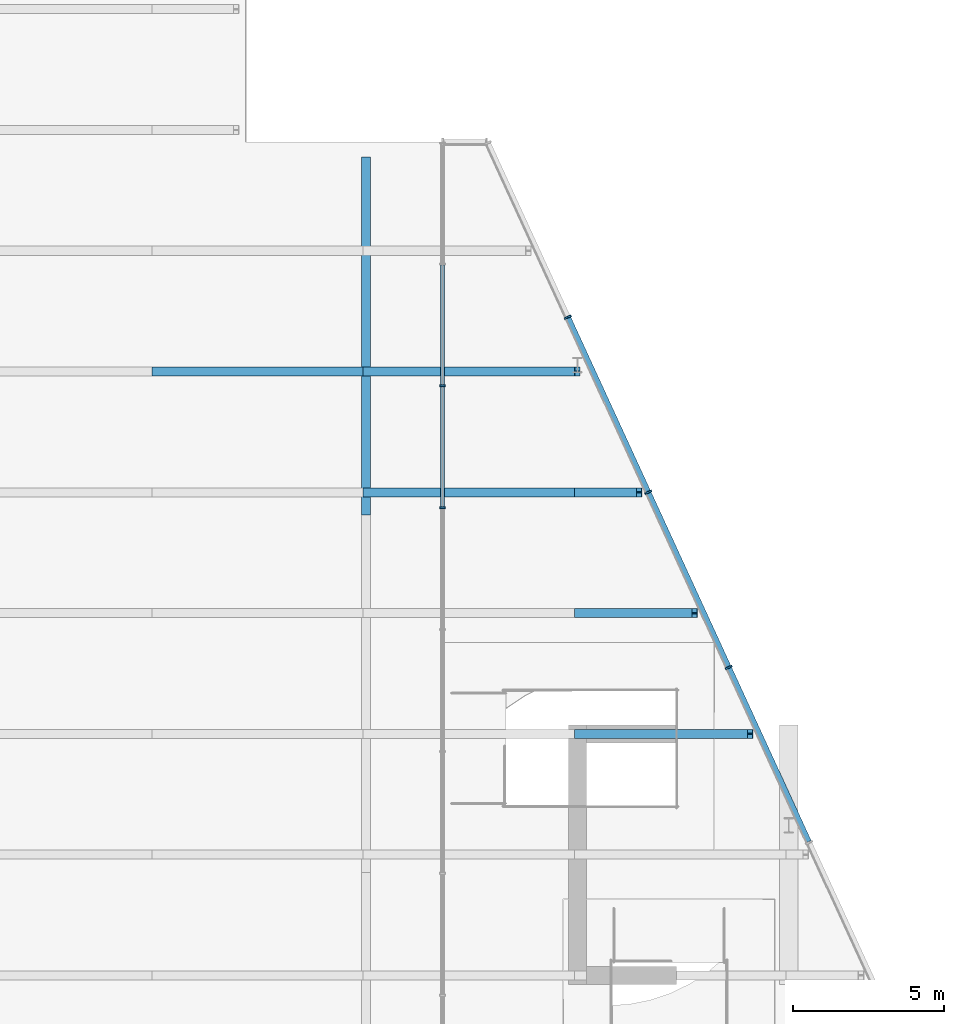
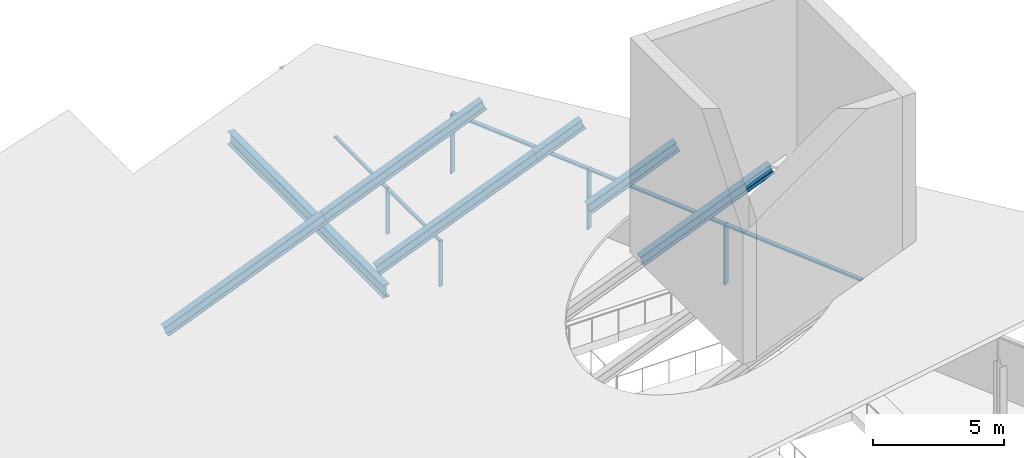
# One storey, part 4 of 8: 16 members, 1 beam, 2 elements without a shape of their own.
"""IFC4 building model written with IfcOpenShell, lengths in metres."""

from ifc_helpers import new_model, si_unit, direction, frame, origin, origin_2d, place, context, subcontext, project, spatial, rectangle, i_section, extrude, material, material_profile, profile_set, type_object, element, aggregate, save


model = new_model("IFC4")

# Units and contexts
model_context = context("Model", 3, precision=1e-05, world=origin(), true_north=direction((0.0, 1.0)))
body_context = subcontext(model_context, "Body", "Model", "MODEL_VIEW")
ifc_project = project(units=[si_unit("LENGTHUNIT", "METRE"), si_unit("AREAUNIT", "SQUARE_METRE"), si_unit("VOLUMEUNIT", "CUBIC_METRE"), si_unit("PLANEANGLEUNIT", "RADIAN"), si_unit("MASSUNIT", "GRAM", prefix="KILO")], contexts=[model_context])

# Site, building, storey
site_placement = place(None, origin())
site = spatial("IfcSite", under=ifc_project, at=site_placement, CompositionType="ELEMENT")
building_placement = place(site_placement, origin())
building = spatial("IfcBuilding", under=site, at=building_placement, Name="Wharfspan Tower", CompositionType="ELEMENT")
storey_placement = place(building_placement, frame((0.0, 0.0, 277.100098)))
storey = spatial("IfcBuildingStorey", under=building, at=storey_placement, Name="L71", CompositionType="ELEMENT", Elevation=277.100098)

# Curtain wall, members
ifc_material_1 = material(Name="Aluminium 6063-T6", Category="aluminium")
curtain_wall_type_1 = type_object("IfcCurtainWallType", Name="CURTAIN WALL CROWN GABLE", PredefinedType="NOTDEFINED", material=ifc_material_1)
curtain_wall_1_placement = place(storey_placement, origin())
curtain_wall_1 = element("IfcCurtainWall", 1, at=curtain_wall_1_placement, inside=storey, type_object=curtain_wall_type_1, Name="Crown gable glazing", PredefinedType="NOTDEFINED")
ifc_material_profile_1 = material_profile(ifc_material_1, rectangle(XDim=0.179932, YDim=0.060059, at=origin_2d()))
ifc_profile_set_1 = profile_set([ifc_material_profile_1], Name="Aluminium 6063-T6")
member_type_1 = type_object("IfcMemberType", Name="MULLION CROWN GABLE 60x180", PredefinedType="MULLION", material=ifc_profile_set_1)
member_1_placement = place(storey_placement, frame((60.531738, 31.490479, 0.0), z_axis=(0.0, 0.0, 1.0), x_axis=(-1.0, 0.0, 0.0)))
member_1 = element("IfcMember", 2, at=member_1_placement, type_object=member_type_1, Name="Crown gable glazing mullion 7", PredefinedType="MULLION", context=body_context, shape_type="SweptSolid", body=[
    extrude(rectangle(XDim=0.179932, YDim=0.060059, at=origin_2d()), origin(), (0.0, 0.0, 1.0), 2.124268),
])
member_2_placement = place(storey_placement, frame((60.531738, 35.5271, 0.0), z_axis=(0.0, 0.0, 1.0), x_axis=(-1.0, 0.0, 0.0)))
member_2 = element("IfcMember", 3, at=member_2_placement, type_object=member_type_1, Name="Crown gable glazing mullion 8", PredefinedType="MULLION", context=body_context, shape_type="SweptSolid", body=[
    extrude(rectangle(XDim=0.179932, YDim=0.060059, at=origin_2d()), origin(), (0.0, 0.0, 1.0), 2.124268),
])

curtain_wall_type_2 = type_object("IfcCurtainWallType", Name="CURTAIN WALL PROW AND END", PredefinedType="NOTDEFINED", material=ifc_material_1)
curtain_wall_2_placement = place(storey_placement, origin())
curtain_wall_2 = element("IfcCurtainWall", 4, at=curtain_wall_2_placement, inside=storey, type_object=curtain_wall_type_2, Name="Crown curtain wall E", PredefinedType="NOTDEFINED")
ifc_material_profile_2 = material_profile(ifc_material_1, rectangle(XDim=0.23999, YDim=0.060059, at=origin_2d()))
ifc_profile_set_2 = profile_set([ifc_material_profile_2], Name="Aluminium 6063-T6")
member_type_2 = type_object("IfcMemberType", Name="MULLION PROW AND END 60x240", PredefinedType="MULLION", material=ifc_profile_set_2)
member_3_placement = place(storey_placement, frame((70.010254, 26.199951, 0.0), z_axis=(0.0, 0.0, 1.0), x_axis=(-0.908769, -0.417292, 0.0)))
member_3 = element("IfcMember", 5, at=member_3_placement, type_object=member_type_2, Name="Crown curtain wall E mullion 4", PredefinedType="MULLION", context=body_context, shape_type="SweptSolid", body=[
    extrude(rectangle(XDim=0.23999, YDim=0.060059, at=origin_2d()), origin(), (0.0, 0.0, 1.0), 2.799805),
])
member_4_placement = place(storey_placement, frame((67.346924, 32.0, 0.0), z_axis=(0.0, 0.0, 1.0), x_axis=(-0.908769, -0.417292, 0.0)))
member_4 = element("IfcMember", 6, at=member_4_placement, type_object=member_type_2, Name="Crown curtain wall E mullion 5", PredefinedType="MULLION", context=body_context, shape_type="SweptSolid", body=[
    extrude(rectangle(XDim=0.23999, YDim=0.060059, at=origin_2d()), origin(), (0.0, 0.0, 1.0), 2.799805),
])
member_5_placement = place(storey_placement, frame((64.683594, 37.800049, 0.0), z_axis=(0.0, 0.0, 1.0), x_axis=(-0.908769, -0.417292, 0.0)))
member_5 = element("IfcMember", 7, at=member_5_placement, type_object=member_type_2, Name="Crown curtain wall E mullion 6", PredefinedType="MULLION", context=body_context, shape_type="SweptSolid", body=[
    extrude(rectangle(XDim=0.23999, YDim=0.060059, at=origin_2d()), origin(), (0.0, 0.0, 1.0), 2.799805),
])

# Beam
ifc_material_2 = material(Name="Steel S355J2", Category="steel")
ifc_material_profile_3 = material_profile(ifc_material_2, i_section(OverallWidth=0.300049, OverallDepth=0.600098, WebThickness=0.015381, FlangeThickness=0.030029, FilletRadius=0.0271, at=origin_2d()))
ifc_profile_set_3 = profile_set([ifc_material_profile_3], Name="Steel S355J2")
beam_type = type_object("IfcBeamType", Name="Roof girder HEB 600", PredefinedType="BEAM", material=ifc_profile_set_3)
beam_placement = place(storey_placement, frame((58.0, 31.25, 0.806396), z_axis=(0.0, 1.0, 0.0), x_axis=(-1.0, 0.0, 0.0)))
element("IfcBeam", 8, at=beam_placement, inside=storey, type_object=beam_type, Name="Roof girder G6 31 to 43", PredefinedType="BEAM", context=body_context, shape_type="SweptSolid", body=[
    extrude(i_section(OverallWidth=0.300049, OverallDepth=0.600098, WebThickness=0.015381, FlangeThickness=0.030029, FilletRadius=0.0271, at=origin_2d()), origin(), (0.0, 0.0, 1.0), 11.850098),
])

# Members
ifc_material_profile_4 = material_profile(ifc_material_2, i_section(OverallWidth=0.300049, OverallDepth=0.5, WebThickness=0.014404, FlangeThickness=0.028076, FilletRadius=0.0271, at=origin_2d()))
ifc_profile_set_4 = profile_set([ifc_material_profile_4], Name="Steel S355J2")
member_type_3 = type_object("IfcMemberType", Name="Roof rafter HEB 500", PredefinedType="RAFTER", material=ifc_profile_set_4)
member_6_placement = place(storey_placement, frame((65.0, 24.0, 4.204102), z_axis=(0.92718, 0.0, 0.374615), x_axis=(0.0, 1.0, 0.0)))
element("IfcMember", 9, at=member_6_placement, inside=storey, type_object=member_type_3, Name="Roof rafter R5 bay 8", PredefinedType="RAFTER", context=body_context, shape_type="SweptSolid", body=[
    extrude(i_section(OverallWidth=0.300049, OverallDepth=0.5, WebThickness=0.014404, FlangeThickness=0.028076, FilletRadius=0.0271, at=origin_2d()), origin(), (0.0, 0.0, 1.0), 6.169678),
])
member_7_placement = place(storey_placement, frame((65.0, 28.0, 4.204102), z_axis=(0.927189, 0.0, 0.374594), x_axis=(0.0, 1.0, 0.0)))
element("IfcMember", 10, at=member_7_placement, inside=storey, type_object=member_type_3, Name="Roof rafter R6 bay 8", PredefinedType="RAFTER", context=body_context, shape_type="SweptSolid", body=[
    extrude(i_section(OverallWidth=0.300049, OverallDepth=0.5, WebThickness=0.014404, FlangeThickness=0.028076, FilletRadius=0.0271, at=origin_2d()), origin(), (0.0, 0.0, 1.0), 4.188721),
])
member_8_placement = place(storey_placement, frame((58.0, 32.0, 1.375977), z_axis=(0.927187, 0.0, 0.3746), x_axis=(0.0, 1.0, 0.0)))
element("IfcMember", 11, at=member_8_placement, inside=storey, type_object=member_type_3, Name="Roof rafter R7 bay 7", PredefinedType="RAFTER", context=body_context, shape_type="SweptSolid", body=[
    extrude(i_section(OverallWidth=0.300049, OverallDepth=0.5, WebThickness=0.014404, FlangeThickness=0.028076, FilletRadius=0.0271, at=origin_2d()), origin(), (0.0, 0.0, 1.0), 7.549805),
])
member_9_placement = place(storey_placement, frame((65.0, 32.0, 4.204102), z_axis=(0.927159, 0.0, 0.374668), x_axis=(0.0, 1.0, 0.0)))
element("IfcMember", 12, at=member_9_placement, inside=storey, type_object=member_type_3, Name="Roof rafter R7 bay 8", PredefinedType="RAFTER", context=body_context, shape_type="SweptSolid", body=[
    extrude(i_section(OverallWidth=0.300049, OverallDepth=0.5, WebThickness=0.014404, FlangeThickness=0.028076, FilletRadius=0.0271, at=origin_2d()), origin(), (0.0, 0.0, 1.0), 2.207764),
])
for number, where, z_axis, x_axis, name in (
    (13, (51.0, 36.0, -1.452148), (0.927187, 0.0, 0.3746), (0.0, 1.0, 0.0), "Roof rafter R8 bay 6"),
    (14, (58.0, 36.0, 1.375977), (0.927187, 0.0, 0.3746), (0.0, 1.0, 0.0), "Roof rafter R8 bay 7"),
):
    element("IfcMember", number, at=place(storey_placement, frame(where, z_axis=z_axis, x_axis=x_axis)), inside=storey, type_object=member_type_3, Name=name, PredefinedType="RAFTER", context=body_context, shape_type="SweptSolid", body=[
        extrude(i_section(OverallWidth=0.300049, OverallDepth=0.5, WebThickness=0.014404, FlangeThickness=0.028076, FilletRadius=0.0271, at=origin_2d()), origin(), (0.0, 0.0, 1.0), 7.549805),
    ])

# Member
ifc_material_profile_5 = material_profile(ifc_material_1, rectangle(XDim=0.139893, YDim=0.070068, at=origin_2d()))
ifc_profile_set_5 = profile_set([ifc_material_profile_5], Name="Aluminium 6063-T6")
member_type_4 = type_object("IfcMemberType", Name="TRANSOM CROWN GABLE 70x140", PredefinedType="USERDEFINED", material=ifc_profile_set_5)
member_10_placement = place(storey_placement, frame((60.531738, 31.520508, 2.089355), z_axis=(0.0, 1.0, 0.0), x_axis=(-1.0, 0.0, 0.0)))
member_10 = element("IfcMember", 15, at=member_10_placement, type_object=member_type_4, Name="Crown gable glazing transom 7", ObjectType="TRANSOM", PredefinedType="USERDEFINED", context=body_context, shape_type="SweptSolid", body=[
    extrude(rectangle(XDim=0.139893, YDim=0.070068, at=origin_2d()), origin(), (0.0, 0.0, 1.0), 3.976562),
])

member_11_placement = place(storey_placement, frame((60.531738, 35.557129, 2.089355), z_axis=(0.0, 1.0, 0.0), x_axis=(-1.0, 0.0, 0.0)))
member_11 = element("IfcMember", 16, at=member_11_placement, type_object=member_type_4, Name="Crown gable glazing transom 8", ObjectType="TRANSOM", PredefinedType="USERDEFINED", context=body_context, shape_type="SweptSolid", body=[
    extrude(rectangle(XDim=0.139893, YDim=0.070068, at=origin_2d()), origin(), (0.0, 0.0, 1.0), 3.976318),
])

aggregate(curtain_wall_1, [member_1, member_2, member_10, member_11])

ifc_material_profile_6 = material_profile(ifc_material_1, rectangle(XDim=0.179932, YDim=0.080078, at=origin_2d()))
ifc_profile_set_6 = profile_set([ifc_material_profile_6], Name="Aluminium 6063-T6")
member_type_5 = type_object("IfcMemberType", Name="TRANSOM PROW AND END 80x180", PredefinedType="USERDEFINED", material=ifc_profile_set_6)
member_12_placement = place(storey_placement, frame((72.660889, 20.427246, 2.76001), z_axis=(-0.41728, 0.908778, 0.0), x_axis=(-0.908778, -0.41728, 0.0)))
member_12 = element("IfcMember", 17, at=member_12_placement, type_object=member_type_5, Name="Crown curtain wall E transom 3", ObjectType="TRANSOM", PredefinedType="USERDEFINED", context=body_context, shape_type="SweptSolid", body=[
    extrude(rectangle(XDim=0.179932, YDim=0.080078, at=origin_2d()), origin(), (0.0, 0.0, 1.0), 6.322266),
])

member_13_placement = place(storey_placement, frame((69.997803, 26.227295, 2.76001), z_axis=(-0.417326, 0.908757, 0.0), x_axis=(-0.908757, -0.417326, 0.0)))
member_13 = element("IfcMember", 18, at=member_13_placement, type_object=member_type_5, Name="Crown curtain wall E transom 4", ObjectType="TRANSOM", PredefinedType="USERDEFINED", context=body_context, shape_type="SweptSolid", body=[
    extrude(rectangle(XDim=0.179932, YDim=0.080078, at=origin_2d()), origin(), (0.0, 0.0, 1.0), 6.322266),
])

member_14_placement = place(storey_placement, frame((67.334473, 32.027344, 2.76001), z_axis=(-0.417294, 0.908771, 0.0), x_axis=(-0.908771, -0.417294, 0.0)))
member_14 = element("IfcMember", 19, at=member_14_placement, type_object=member_type_5, Name="Crown curtain wall E transom 5", ObjectType="TRANSOM", PredefinedType="USERDEFINED", context=body_context, shape_type="SweptSolid", body=[
    extrude(rectangle(XDim=0.179932, YDim=0.080078, at=origin_2d()), origin(), (0.0, 0.0, 1.0), 6.322021),
])

aggregate(curtain_wall_2, [member_3, member_4, member_5, member_12, member_13, member_14])

save(model, "model.ifc")
